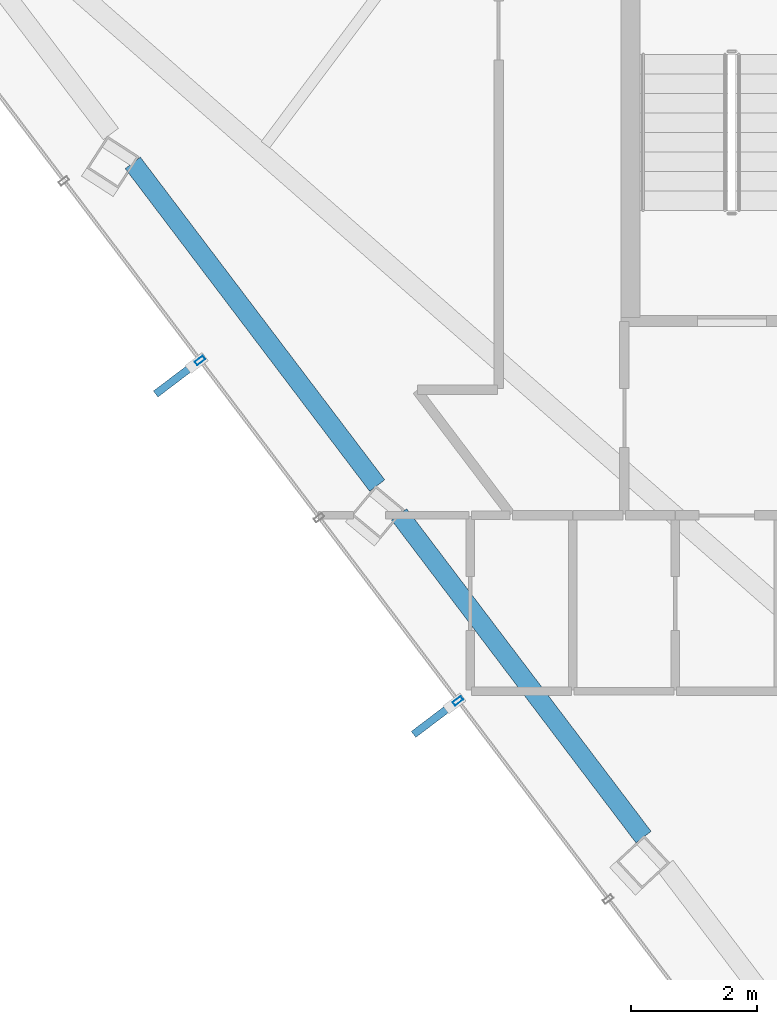
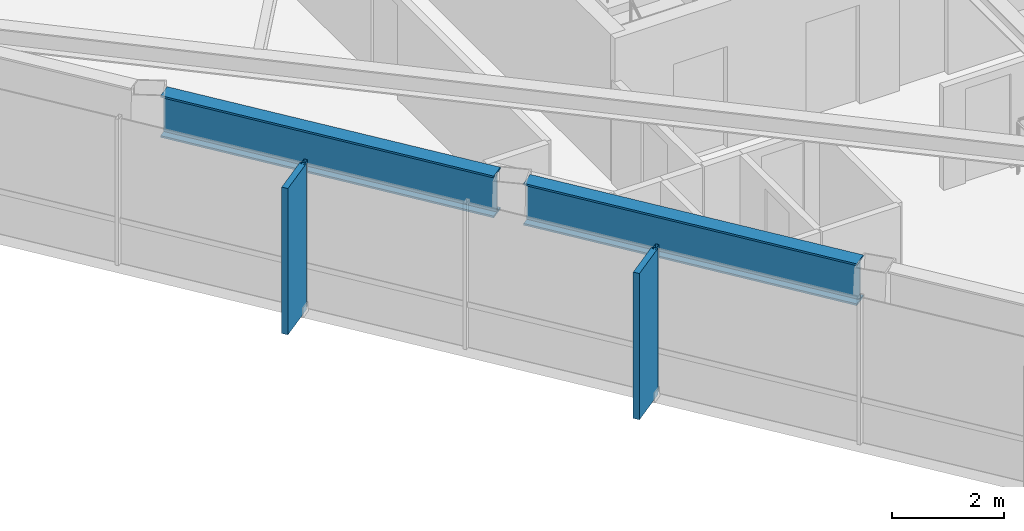
# One storey, part 3 of 27: 4 members, 2 beams, 1 element without a shape of its own.
"""IFC4 building model written with IfcOpenShell, lengths in metres."""

from ifc_helpers import new_model, si_unit, direction, frame, origin, origin_2d, place, context, subcontext, project, spatial, rectangle, hollow_rectangle, i_section, extrude, material, layer, layer_set, material_profile, profile_set, type_object, element, aggregate, save


model = new_model("IFC4")

# Units and contexts
model_context = context("Model", 3, precision=1e-05, world=origin(), true_north=direction((0.0, 1.0)))
body_context = subcontext(model_context, "Body", "Model", "MODEL_VIEW")
ifc_project = project(units=[si_unit("LENGTHUNIT", "METRE"), si_unit("AREAUNIT", "SQUARE_METRE"), si_unit("VOLUMEUNIT", "CUBIC_METRE"), si_unit("PLANEANGLEUNIT", "RADIAN"), si_unit("MASSUNIT", "GRAM", prefix="KILO")], contexts=[model_context])

# Site, building, storey
site_placement = place(None, origin())
site = spatial("IfcSite", under=ifc_project, at=site_placement, CompositionType="ELEMENT")
building_placement = place(site_placement, origin())
building = spatial("IfcBuilding", under=site, at=building_placement, Name="Zarrinselat Tower", CompositionType="ELEMENT")
storey_placement = place(building_placement, frame((0.0, 0.0, 235.9599609375)))
storey = spatial("IfcBuildingStorey", under=building, at=storey_placement, Name="L59", CompositionType="ELEMENT", Elevation=235.9599609375)

# Beams
ifc_material_1 = material(Name="Steel S460M", Category="steel")
ifc_material_profile_1 = material_profile(ifc_material_1, i_section(OverallWidth=0.302001953125, OverallDepth=0.909912109375, WebThickness=0.02099609375, FlangeThickness=0.0400390625, at=origin_2d()), Name="HEM 900")
ifc_profile_set_1 = profile_set([ifc_material_profile_1], Name="Steel S460M")
beam_type = type_object("IfcBeamType", Name="BM-HEM900", PredefinedType="BEAM", material=ifc_profile_set_1)
beam_1_placement = place(storey_placement, frame((20.732421875, 35.75537109375, 2.72509765625), z_axis=(0.603870099969, -0.797082744992, 0.0), x_axis=(0.797082744992, 0.603870099969, 0.0)))
element("IfcBeam", 1, at=beam_1_placement, inside=storey, type_object=beam_type, Name="L59 Perimeter Spandrel Girder SP07", PredefinedType="BEAM", context=body_context, shape_type="SweptSolid", body=[
    extrude(i_section(OverallWidth=0.302001953125, OverallDepth=0.909912109375, WebThickness=0.02099609375, FlangeThickness=0.0400390625, at=origin_2d()), origin(), (0.0, 0.0, 1.0), 6.43798828125),
])
beam_2_placement = place(storey_placement, frame((24.968017578125, 30.16455078125, 2.72509765625), z_axis=(0.603864259408, -0.797087169769, 0.0), x_axis=(0.797087169769, 0.603864259408, 0.0)))
element("IfcBeam", 2, at=beam_2_placement, inside=storey, type_object=beam_type, Name="L59 Perimeter Spandrel Girder SP08", PredefinedType="BEAM", context=body_context, shape_type="SweptSolid", body=[
    extrude(i_section(OverallWidth=0.302001953125, OverallDepth=0.909912109375, WebThickness=0.02099609375, FlangeThickness=0.0400390625, at=origin_2d()), origin(), (0.0, 0.0, 1.0), 6.437744140625),
])

# Curtain wall, members
ifc_material_2 = material(Name="Extruded Aluminium Alloy EN AW-6063 T6", Category="aluminium")
ifc_layer = layer(ifc_material_2, 0.169921875)
ifc_layer_set = layer_set([ifc_layer], Name="Extruded Aluminium Alloy EN AW-6063 T6")
curtain_wall_type = type_object("IfcCurtainWallType", Name="CWS-RES", PredefinedType="NOTDEFINED", material=ifc_layer_set)
curtain_wall_placement = place(storey_placement, origin())
curtain_wall = element("IfcCurtainWall", 3, at=curtain_wall_placement, inside=storey, type_object=curtain_wall_type, Name="L59 Unitised Curtain Wall CW-L59-E03", PredefinedType="NOTDEFINED")
ifc_material_3 = material(Name="Extruded Aluminium Alloy EN AW-6063 T6", Category="aluminium")
ifc_material_profile_2 = material_profile(ifc_material_3, hollow_rectangle(XDim=0.070068359375, YDim=0.159912109375, WallThickness=0.00390625, at=origin_2d()), Name="RHS 160x70x4")
ifc_profile_set_2 = profile_set([ifc_material_profile_2], Name="Extruded Aluminium Alloy EN AW-6063 T6")
member_type_1 = type_object("IfcMemberType", Name="MEM-CW-MUL2", PredefinedType="MULLION", material=ifc_profile_set_2)
member_1_placement = place(storey_placement, frame((21.802001953125, 32.61376953125, 0.0), z_axis=(0.0, 0.0, 1.0), x_axis=(0.603857419315, -0.7970923517, 0.0)))
member_1 = element("IfcMember", 4, at=member_1_placement, type_object=member_type_1, Name="CW-L59-E03 Mullion 3", PredefinedType="MULLION", context=body_context, shape_type="SweptSolid", body=[
    extrude(hollow_rectangle(XDim=0.070068359375, YDim=0.159912109375, WallThickness=0.00390625, at=origin_2d()), origin(), (0.0, 0.0, 1.0), 3.179931640625),
])
member_2_placement = place(storey_placement, frame((25.90283203125, 27.20068359375, 0.0), z_axis=(0.0, 0.0, 1.0), x_axis=(0.603857419315, -0.7970923517, 0.0)))
member_2 = element("IfcMember", 5, at=member_2_placement, type_object=member_type_1, Name="CW-L59-E03 Mullion 5", PredefinedType="MULLION", context=body_context, shape_type="SweptSolid", body=[
    extrude(hollow_rectangle(XDim=0.070068359375, YDim=0.159912109375, WallThickness=0.00390625, at=origin_2d()), origin(), (0.0, 0.0, 1.0), 3.179931640625),
])
ifc_material_4 = material(Name="Honed Cream Travertine Stone", Category="masonry")
ifc_material_profile_3 = material_profile(ifc_material_4, rectangle(XDim=0.1201171875, YDim=0.85009765625, at=origin_2d()), Name="FIN 850x120")
ifc_profile_set_3 = profile_set([ifc_material_profile_3], Name="Honed Cream Travertine Stone")
member_type_2 = type_object("IfcMemberType", Name="MEM-STONE-FIN", PredefinedType="USERDEFINED", material=ifc_profile_set_3)
member_3_placement = place(storey_placement, frame((21.435302734375, 32.3359375, 0.0), z_axis=(0.0, 0.0, 1.0), x_axis=(-0.603857419315, 0.7970923517, 0.0)))
member_3 = element("IfcMember", 6, at=member_3_placement, type_object=member_type_2, Name="L59 Stone Shading Fin CW-L59-E03-03", ObjectType="FIN", PredefinedType="USERDEFINED", context=body_context, shape_type="SweptSolid", body=[
    extrude(rectangle(XDim=0.1201171875, YDim=0.85009765625, at=origin_2d()), origin(), (0.0, 0.0, 1.0), 3.179931640625),
])
member_4_placement = place(storey_placement, frame((25.5361328125, 26.9228515625, 0.0), z_axis=(0.0, 0.0, 1.0), x_axis=(-0.603857419315, 0.7970923517, 0.0)))
member_4 = element("IfcMember", 7, at=member_4_placement, type_object=member_type_2, Name="L59 Stone Shading Fin CW-L59-E03-05", ObjectType="FIN", PredefinedType="USERDEFINED", context=body_context, shape_type="SweptSolid", body=[
    extrude(rectangle(XDim=0.1201171875, YDim=0.85009765625, at=origin_2d()), origin(), (0.0, 0.0, 1.0), 3.179931640625),
])
aggregate(curtain_wall, [member_1, member_3, member_2, member_4])

save(model, "model.ifc")
